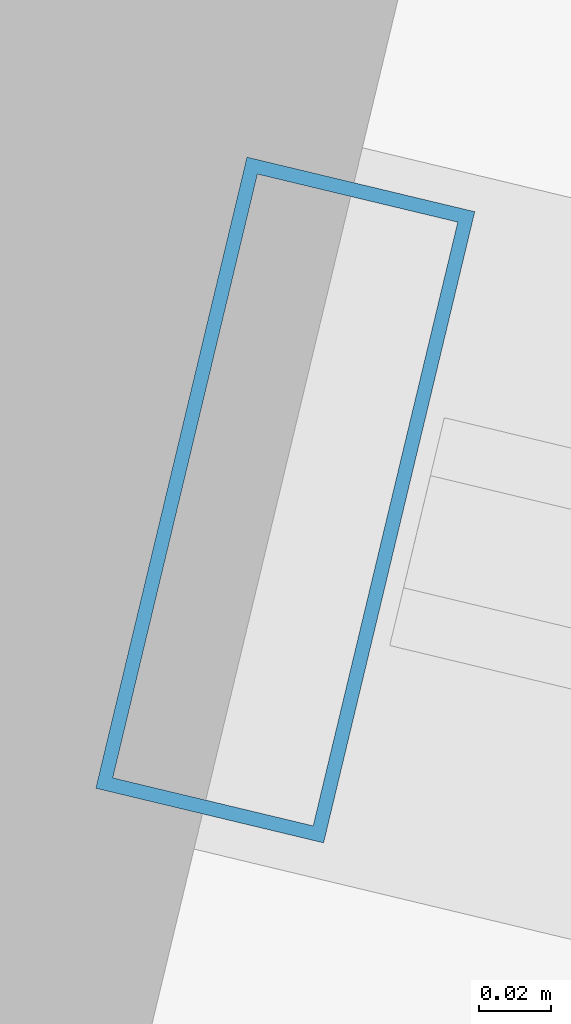
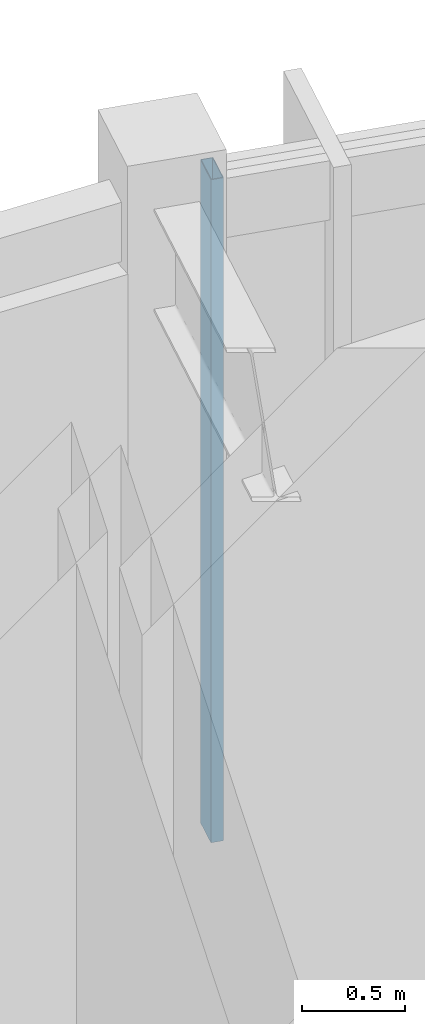
# One storey, part 41 of 78: 1 member, 1 element without a shape of its own.
"""IFC4 building model written with IfcOpenShell, lengths in metres."""

from ifc_helpers import new_model, si_unit, direction, frame, origin, origin_2d, place, context, subcontext, project, spatial, hollow_rectangle, extrude, material, material_profile, profile_set, type_object, element, aggregate, save


model = new_model("IFC4")

# Units and contexts
model_context = context("Model", 3, precision=1e-05, world=origin(), true_north=direction((0.0, 1.0)))
body_context = subcontext(model_context, "Body", "Model", "MODEL_VIEW")
ifc_project = project(units=[si_unit("LENGTHUNIT", "METRE"), si_unit("AREAUNIT", "SQUARE_METRE"), si_unit("VOLUMEUNIT", "CUBIC_METRE"), si_unit("PLANEANGLEUNIT", "RADIAN"), si_unit("MASSUNIT", "GRAM", prefix="KILO"), si_unit("THERMODYNAMICTEMPERATUREUNIT", "KELVIN"), si_unit("POWERUNIT", "WATT")], contexts=[model_context])

# Site, building, storey
site_placement = place(None, origin())
site = spatial("IfcSite", under=ifc_project, at=site_placement, CompositionType="ELEMENT")
building_placement = place(site_placement, origin())
building = spatial("IfcBuilding", under=site, at=building_placement, Name="Darbajah Civic Hall", CompositionType="ELEMENT")
storey_placement = place(building_placement, frame((0.0, 0.0, 26.39990234375)))
storey = spatial("IfcBuildingStorey", under=building, at=storey_placement, Name="L06", CompositionType="ELEMENT", Elevation=26.39990234375)

# Curtain wall, member
ifc_material_1 = material(Name="Anodised Bronze Aluminium and Low-E Glazing", Category="aluminium")
curtain_wall_type = type_object("IfcCurtainWallType", Name="Unitised Curtain Wall CW-87 14700x3900", PredefinedType="USERDEFINED", material=ifc_material_1)
curtain_wall_placement = place(storey_placement, origin())
curtain_wall = element("IfcCurtainWall", 1, at=curtain_wall_placement, inside=storey, type_object=curtain_wall_type, Name="L06 unitised curtain wall CW-V1O-L06-03", ObjectType="UNITISED CURTAIN WALL", PredefinedType="USERDEFINED")
ifc_material_2 = material(Name="Anodised Bronze Aluminium", Category="aluminium")
ifc_material_profile = material_profile(ifc_material_2, hollow_rectangle(XDim=0.06494140625, YDim=0.179931640625, WallThickness=0.00390625, at=origin_2d()), Name="ALU MULLION 65x180")
ifc_profile_set = profile_set([ifc_material_profile], Name="Anodised Bronze Aluminium")
member_type = type_object("IfcMemberType", Name="ALU MULLION 65x180", PredefinedType="MULLION", material=ifc_profile_set)
member_placement = place(storey_placement, frame((101.250732421875, 118.42626953125, 0.0), z_axis=(0.0, 0.0, 1.0), x_axis=(-0.972492018808, 0.232936200179, 0.0)))
member = element("IfcMember", 2, at=member_placement, type_object=member_type, Name="CW-V1O-L06-03 mullion 5", PredefinedType="MULLION", context=body_context, shape_type="SweptSolid", body=[
    extrude(hollow_rectangle(XDim=0.06494140625, YDim=0.179931640625, WallThickness=0.00390625, at=origin_2d()), origin(), (0.0, 0.0, 1.0), 3.920166015625),
])
aggregate(curtain_wall, [member])

save(model, "model.ifc")
